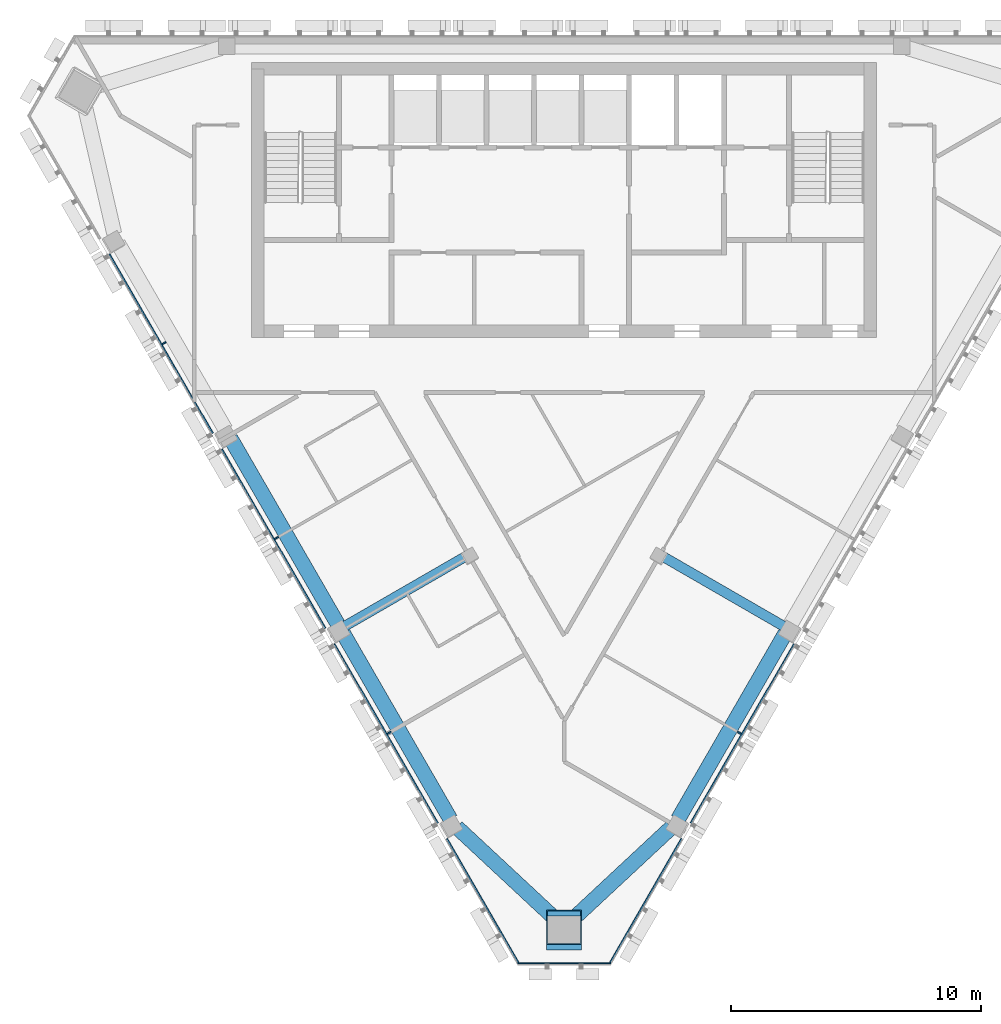
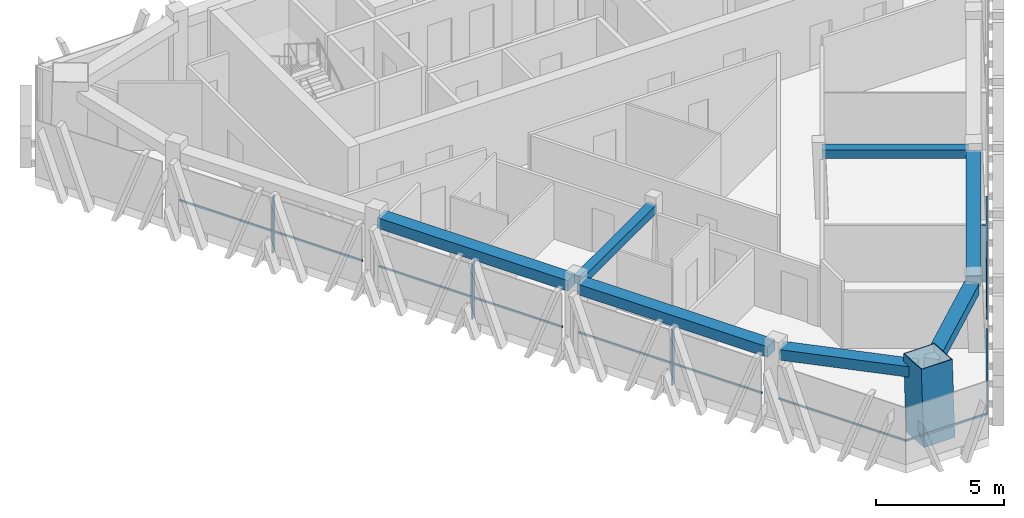
# One storey, part 2 of 10: 12 members, 7 beams, 3 elements without a shape of their own.
"""IFC4 building model written with IfcOpenShell, lengths in metres."""

import ifcopenshell
import ifcopenshell.guid

model = None  # the IFC model being written
_history = None  # IfcOwnerHistory: only IFC2X3 demands one
_inside = {}  # id of a spatial element -> (the spatial element, [elements in it])
_under = {}  # id of a project, library or spatial element -> (it, [spatial elements below it])
_declared = {}  # id of a project -> (the project, [libraries it declares])
_typed = {}  # id of a type object -> (the type object, [elements of that type])
_made_of = {}  # id of a material, layer set ... -> (it, [elements and type objects made of it])


def new_model(schema):
    """Start an empty IFC model of exactly this schema.

    Asked for "IFC4X3", IfcOpenShell would pick the latest addendum, in which some entities
    have other attributes; the version numbers below select the first issue.
    IFC2X3 requires an IfcOwnerHistory on every rooted entity: one is made here for all.
    """
    global model, _history
    if schema == "IFC4X3":
        model = ifcopenshell.file(schema_version=(4, 3, 0, 0))
    else:
        model = ifcopenshell.file(schema=schema)
    _inside.clear()
    _under.clear()
    _declared.clear()
    _typed.clear()
    _made_of.clear()
    _history = None
    if model.schema == "IFC2X3":
        org = make("IfcOrganization", Name="unknown")
        user = make(
            "IfcPersonAndOrganization",
            ThePerson=make("IfcPerson", FamilyName="unknown"),
            TheOrganization=org,
        )
        app = make(
            "IfcApplication",
            ApplicationDeveloper=org,
            Version="unknown",
            ApplicationFullName="unknown",
            ApplicationIdentifier="unknown",
        )
        _history = make(
            "IfcOwnerHistory",
            OwningUser=user,
            OwningApplication=app,
            ChangeAction="ADDED",
            CreationDate=0,
        )
    return model


def make(cls, **values):
    """One entity of the class cls with the attributes given. An attribute that is None is left unset."""
    return model.create_entity(
        cls, **{name: value for name, value in values.items() if value is not None}
    )


def rooted(cls, **values):
    """An entity with a GlobalId (a new one), such as an element, a storey or a relation."""
    return make(cls, GlobalId=ifcopenshell.guid.new(), OwnerHistory=_history, **values)


def si_unit(unit_type, name, prefix=None):
    """IfcSIUnit, for example si_unit("LENGTHUNIT", "METRE", prefix="MILLI")."""
    return make("IfcSIUnit", UnitType=unit_type, Prefix=prefix, Name=name)


def assignment(units):
    """IfcUnitAssignment: the units of a project."""
    return None if units is None else make("IfcUnitAssignment", Units=units)


def point(xyz):
    """IfcCartesianPoint."""
    return None if xyz is None else make("IfcCartesianPoint", Coordinates=xyz)


def direction(xyz):
    """IfcDirection."""
    return None if xyz is None else make("IfcDirection", DirectionRatios=xyz)


def frame(location, z_axis=None, x_axis=None):
    """IfcAxis2Placement3D, a coordinate frame: its origin and axes. An axis left out is left unset."""
    return make(
        "IfcAxis2Placement3D",
        Location=point(location),
        Axis=direction(z_axis),
        RefDirection=direction(x_axis),
    )


def frame_2d(location, x_axis=None):
    """IfcAxis2Placement2D, a coordinate frame in the plane: its origin and x axis."""
    return make(
        "IfcAxis2Placement2D", Location=point(location), RefDirection=direction(x_axis)
    )


def origin():
    """The frame at (0, 0, 0) with its axes left unset."""
    return frame((0.0, 0.0, 0.0))


def origin_2d():
    """The frame at (0, 0) in the plane with its x axis left unset."""
    return frame_2d((0.0, 0.0))


def place(relative_to, where):
    """IfcLocalPlacement: puts the frame where relative to a parent placement (None: the world)."""
    return make(
        "IfcLocalPlacement", PlacementRelTo=relative_to, RelativePlacement=where
    )


def context(
    kind, dimensions, precision=None, world=None, true_north=None, identifier=None
):
    """IfcGeometricRepresentationContext, for example the 3D "Model" context."""
    return make(
        "IfcGeometricRepresentationContext",
        ContextIdentifier=identifier,
        ContextType=kind,
        CoordinateSpaceDimension=dimensions,
        Precision=precision,
        WorldCoordinateSystem=world,
        TrueNorth=true_north,
    )


def subcontext(parent, identifier, kind, view, scale=None):
    """IfcGeometricRepresentationSubContext, for example "Body" below "Model"."""
    return make(
        "IfcGeometricRepresentationSubContext",
        ContextIdentifier=identifier,
        ContextType=kind,
        ParentContext=parent,
        TargetScale=scale,
        TargetView=view,
    )


def project(units=None, contexts=None):
    """IfcProject with its units and contexts."""
    return rooted(
        "IfcProject",
        Name="project",
        RepresentationContexts=contexts,
        UnitsInContext=assignment(units),
    )


def spatial(cls, under=None, at=None, **own):
    """A site, building, storey or space (cls), placed at a placement, below another one or the project."""
    s = rooted(cls, ObjectPlacement=at, **own)
    if under is not None:
        _under.setdefault(under.id(), (under, []))[1].append(s)
    return s


def profile(cls, at=None, kind="AREA", **sizes):
    """A parametric profile (cls). Its sizes go by their IFC names, for example OverallWidth=200.0."""
    return make(cls, ProfileType=kind, Position=at, **sizes)


def rectangle(**sizes):
    """IfcRectangleProfileDef."""
    return profile("IfcRectangleProfileDef", **sizes)


def hollow_rectangle(**sizes):
    """IfcRectangleHollowProfileDef."""
    return profile("IfcRectangleHollowProfileDef", **sizes)


def extrude(swept, where, along, depth):
    """IfcExtrudedAreaSolid: the profile swept, set in the frame where, extruded along a direction by depth."""
    return make(
        "IfcExtrudedAreaSolid",
        SweptArea=swept,
        Position=where,
        ExtrudedDirection=direction(along),
        Depth=depth,
    )


def shape(context_of_items, identifier, shape_type, items):
    """IfcShapeRepresentation: the items that make up one representation, for example the "Body"."""
    return make(
        "IfcShapeRepresentation",
        ContextOfItems=context_of_items,
        RepresentationIdentifier=identifier,
        RepresentationType=shape_type,
        Items=items,
    )


def material(Name=None, Category=None):
    """IfcMaterial."""
    return make("IfcMaterial", Name=Name, Category=Category)


def layer(
    of_material, thickness, ventilated=None, Name=None, Category=None, Priority=None
):
    """IfcMaterialLayer: one layer of a wall or slab, of a material (None: an air gap)."""
    return make(
        "IfcMaterialLayer",
        Material=of_material,
        LayerThickness=thickness,
        IsVentilated=ventilated,
        Name=Name,
        Category=Category,
        Priority=Priority,
    )


def layer_set(layers, Name=None):
    """IfcMaterialLayerSet."""
    return make("IfcMaterialLayerSet", MaterialLayers=layers, LayerSetName=Name)


def material_profile(
    of_material, cross_section, Name=None, Category=None, Priority=None
):
    """IfcMaterialProfile: a cross section and its material."""
    return make(
        "IfcMaterialProfile",
        Name=Name,
        Material=of_material,
        Profile=cross_section,
        Priority=Priority,
        Category=Category,
    )


def profile_set(profiles, Name=None, composite=None):
    """IfcMaterialProfileSet."""
    return make(
        "IfcMaterialProfileSet",
        Name=Name,
        MaterialProfiles=profiles,
        CompositeProfile=composite,
    )


def made_of(thing, what):
    """Note that an element or type object is made of a material, layer set ...; save() writes the relation."""
    if what is not None:
        _made_of.setdefault(what.id(), (what, []))[1].append(thing)
    return thing


def type_object(cls, material=None, **own):
    """A type object (cls), such as IfcWallType, which elements share."""
    return made_of(rooted(cls, **own), material)


def element(
    cls,
    number,
    at=None,
    inside=None,
    cuts=None,
    type_object=None,
    material=None,
    context=None,
    identifier="Body",
    shape_type=None,
    held_by="IfcProductDefinitionShape",
    body=None,
    shapes=None,
    **own,
):
    """One element of the class cls, such as IfcWall. Its Tag is "e" and its number.

    at: its placement. inside: the storey or other place that contains it. cuts: it is an
    opening in that element (IfcRelVoidsElement). A single representation is given by context,
    identifier, shape_type and body (its items); several are given by shapes. held_by: the class
    of the entity that holds the representations. save() writes the other relations.
    """
    e = rooted(cls, Tag="e%d" % number, ObjectPlacement=at, **own)
    if body is not None:
        shapes = [shape(context, identifier, shape_type, body)]
    if shapes is not None:
        e.Representation = make(held_by, Representations=shapes)
    if inside is not None:
        _inside.setdefault(inside.id(), (inside, []))[1].append(e)
    if cuts is not None:
        rooted(
            "IfcRelVoidsElement", RelatingBuildingElement=cuts, RelatedOpeningElement=e
        )
    if type_object is not None:
        _typed.setdefault(type_object.id(), (type_object, []))[1].append(e)
    return made_of(e, material)


def aggregate(whole, parts):
    """IfcRelAggregates: a whole, such as a stair, and the parts it consists of."""
    return rooted("IfcRelAggregates", RelatingObject=whole, RelatedObjects=parts)


def save(model, path):
    """Write the relations noted so far, then the file.

    IfcRelAggregates (storeys below a building ...), IfcRelContainedInSpatialStructure (elements
    in a storey), IfcRelDefinesByType, IfcRelAssociatesMaterial and IfcRelDeclares: one each for
    every whole, place, type object, material and project.
    """
    for whole, parts in _under.values():
        aggregate(whole, parts)
    for where, things in _inside.values():
        rooted(
            "IfcRelContainedInSpatialStructure",
            RelatedElements=things,
            RelatingStructure=where,
        )
    for kind, things in _typed.values():
        rooted("IfcRelDefinesByType", RelatedObjects=things, RelatingType=kind)
    for what, things in _made_of.values():
        rooted("IfcRelAssociatesMaterial", RelatedObjects=things, RelatingMaterial=what)
    for by, libraries in _declared.values():
        rooted("IfcRelDeclares", RelatingContext=by, RelatedDefinitions=libraries)
    model.write(path)


model = new_model("IFC4")

# Units and contexts
model_context = context("Model", 3, precision=1e-05, world=origin(), true_north=direction((0.0, 1.0)))
body_context = subcontext(model_context, "Body", "Model", "MODEL_VIEW")
ifc_project = project(units=[si_unit("LENGTHUNIT", "METRE"), si_unit("AREAUNIT", "SQUARE_METRE"), si_unit("VOLUMEUNIT", "CUBIC_METRE"), si_unit("PLANEANGLEUNIT", "RADIAN"), si_unit("MASSUNIT", "GRAM", prefix="KILO")], contexts=[model_context])

# Site, building, storey
site_placement = place(None, origin())
site = spatial("IfcSite", under=ifc_project, at=site_placement, CompositionType="ELEMENT")
building_placement = place(site_placement, origin())
building = spatial("IfcBuilding", under=site, at=building_placement, Name="Altiplano Prism Tower", CompositionType="ELEMENT")
storey_placement = place(building_placement, frame((0.0, 0.0, 320.199951171875)))
storey = spatial("IfcBuildingStorey", under=building, at=storey_placement, Name="L83", CompositionType="ELEMENT", Elevation=320.199951171875)

# Curtain wall, members
ifc_material_1 = material(Name="Aluminium and glass", Category="aluminium")
ifc_layer = layer(ifc_material_1, 0.280029296875)
ifc_layer_set = layer_set([ifc_layer], Name="Aluminium and glass")
curtain_wall_type = type_object("IfcCurtainWallType", Name="CW1 typical co-living unitised curtain wall", PredefinedType="NOTDEFINED", material=ifc_layer_set)
curtain_wall_1_placement = place(storey_placement, origin())
curtain_wall_1 = element("IfcCurtainWall", 1, at=curtain_wall_1_placement, inside=storey, type_object=curtain_wall_type, Name="CW1 curtain wall south-west face L83", PredefinedType="NOTDEFINED")
ifc_material_2 = material(Name="Aluminium", Category="aluminium")
ifc_material_profile_1 = material_profile(ifc_material_2, rectangle(XDim=0.179931640625, YDim=0.06494140625, at=origin_2d()), Name="CW1 mullion 65 x 180")
ifc_profile_set_1 = profile_set([ifc_material_profile_1], Name="Aluminium")
member_type_1 = type_object("IfcMemberType", Name="CW1 mullion 65 x 180", PredefinedType="MULLION", material=ifc_profile_set_1)
member_1_placement = place(storey_placement, frame((68.99267578125, 92.673095703125, 0.0), z_axis=(0.0, 0.0, 1.0), x_axis=(0.866025398967, 0.500000008343, 0.0)))
member_1 = element("IfcMember", 2, at=member_1_placement, type_object=member_type_1, Name="CW1 mullion", PredefinedType="MULLION", context=body_context, shape_type="SweptSolid", body=[
    extrude(rectangle(XDim=0.179931640625, YDim=0.06494140625, at=origin_2d()), origin(), (0.0, 0.0, 1.0), 2.699951171875),
])
member_2_placement = place(storey_placement, frame((73.49267578125, 84.87890625, 0.0), z_axis=(0.0, 0.0, 1.0), x_axis=(0.866025398967, 0.500000008343, 0.0)))
member_2 = element("IfcMember", 3, at=member_2_placement, type_object=member_type_1, Name="CW1 mullion", PredefinedType="MULLION", context=body_context, shape_type="SweptSolid", body=[
    extrude(rectangle(XDim=0.179931640625, YDim=0.06494140625, at=origin_2d()), origin(), (0.0, 0.0, 1.0), 2.699951171875),
])
member_3_placement = place(storey_placement, frame((77.99267578125, 77.08447265625, 0.0), z_axis=(0.0, 0.0, 1.0), x_axis=(0.866025398967, 0.500000008343, 0.0)))
member_3 = element("IfcMember", 4, at=member_3_placement, type_object=member_type_1, Name="CW1 mullion", PredefinedType="MULLION", context=body_context, shape_type="SweptSolid", body=[
    extrude(rectangle(XDim=0.179931640625, YDim=0.06494140625, at=origin_2d()), origin(), (0.0, 0.0, 1.0), 2.699951171875),
])

# Curtain wall, member
curtain_wall_2_placement = place(storey_placement, origin())
curtain_wall_2 = element("IfcCurtainWall", 5, at=curtain_wall_2_placement, inside=storey, type_object=curtain_wall_type, Name="CW1 curtain wall south-east face L83", PredefinedType="NOTDEFINED")
member_4_placement = place(storey_placement, frame((92.00732421875, 77.08447265625, 0.0), z_axis=(0.0, 0.0, 1.0), x_axis=(-0.866025398967, 0.500000008343, 0.0)))
member_4 = element("IfcMember", 6, at=member_4_placement, type_object=member_type_1, Name="CW1 mullion", PredefinedType="MULLION", context=body_context, shape_type="SweptSolid", body=[
    extrude(rectangle(XDim=0.179931640625, YDim=0.06494140625, at=origin_2d()), origin(), (0.0, 0.0, 1.0), 2.699951171875),
])

# Member
ifc_material_profile_2 = material_profile(ifc_material_2, rectangle(XDim=0.06005859375, YDim=0.080078125, at=origin_2d()), Name="CW1 transom 80 x 60")
ifc_profile_set_2 = profile_set([ifc_material_profile_2], Name="Aluminium")
member_type_2 = type_object("IfcMemberType", Name="CW1 transom 80 x 60", PredefinedType="USERDEFINED", material=ifc_profile_set_2)
member_5_placement = place(storey_placement, frame((66.801513671875, 96.228271484375, 1.10009765625), z_axis=(0.50000951748, -0.866019908795, 0.0), x_axis=(0.866019908795, 0.50000951748, 0.0)))
member_5 = element("IfcMember", 7, at=member_5_placement, type_object=member_type_2, Name="CW1 transom", ObjectType="TRANSOM", PredefinedType="USERDEFINED", context=body_context, shape_type="SweptSolid", body=[
    extrude(rectangle(XDim=0.06005859375, YDim=0.080078125, at=origin_2d()), origin(), (0.0, 0.0, 1.0), 8.269775390625),
])

member_6_placement = place(storey_placement, frame((71.301513671875, 88.43408203125, 1.10009765625), z_axis=(0.50000951748, -0.866019908795, 0.0), x_axis=(0.866019908795, 0.50000951748, 0.0)))
member_6 = element("IfcMember", 8, at=member_6_placement, type_object=member_type_2, Name="CW1 transom", ObjectType="TRANSOM", PredefinedType="USERDEFINED", context=body_context, shape_type="SweptSolid", body=[
    extrude(rectangle(XDim=0.06005859375, YDim=0.080078125, at=origin_2d()), origin(), (0.0, 0.0, 1.0), 8.269775390625),
])

member_7_placement = place(storey_placement, frame((75.801513671875, 80.639892578125, 1.10009765625), z_axis=(0.499996734306, -0.866027289225, 0.0), x_axis=(0.866027289225, 0.499996734306, 0.0)))
member_7 = element("IfcMember", 9, at=member_7_placement, type_object=member_type_2, Name="CW1 transom", ObjectType="TRANSOM", PredefinedType="USERDEFINED", context=body_context, shape_type="SweptSolid", body=[
    extrude(rectangle(XDim=0.06005859375, YDim=0.080078125, at=origin_2d()), origin(), (0.0, 0.0, 1.0), 8.27001953125),
])

member_8_placement = place(storey_placement, frame((80.301513671875, 72.845458984375, 1.10009765625), z_axis=(0.50002313067, -0.866012048874, 0.0), x_axis=(0.866012048874, 0.50002313067, 0.0)))
member_8 = element("IfcMember", 10, at=member_8_placement, type_object=member_type_2, Name="CW1 transom", ObjectType="TRANSOM", PredefinedType="USERDEFINED", context=body_context, shape_type="SweptSolid", body=[
    extrude(rectangle(XDim=0.06005859375, YDim=0.080078125, at=origin_2d()), origin(), (0.0, 0.0, 1.0), 5.786865234375),
])

aggregate(curtain_wall_1, [member_1, member_5, member_2, member_6, member_3, member_7, member_8])

# Curtain wall, member
curtain_wall_3_placement = place(storey_placement, origin())
curtain_wall_3 = element("IfcCurtainWall", 11, at=curtain_wall_3_placement, inside=storey, type_object=curtain_wall_type, Name="CW1 curtain wall south chamfer L83", PredefinedType="NOTDEFINED")
member_9_placement = place(storey_placement, frame((83.13427734375, 67.868896484375, 1.10009765625), z_axis=(1.0, 0.0, 0.0), x_axis=(0.0, 1.0, 0.0)))
member_9 = element("IfcMember", 12, at=member_9_placement, type_object=member_type_2, Name="CW1 transom", ObjectType="TRANSOM", PredefinedType="USERDEFINED", context=body_context, shape_type="SweptSolid", body=[
    extrude(rectangle(XDim=0.06005859375, YDim=0.080078125, at=origin_2d()), origin(), (0.0, 0.0, 1.0), 3.7314453125),
])
aggregate(curtain_wall_3, [member_9])

# Member
member_10_placement = place(storey_placement, frame((86.804931640625, 67.833984375, 1.10009765625), z_axis=(0.50002313067, 0.866012048874, 0.0), x_axis=(-0.866012048874, 0.50002313067, 0.0)))
member_10 = element("IfcMember", 13, at=member_10_placement, type_object=member_type_2, Name="CW1 transom", ObjectType="TRANSOM", PredefinedType="USERDEFINED", context=body_context, shape_type="SweptSolid", body=[
    extrude(rectangle(XDim=0.06005859375, YDim=0.080078125, at=origin_2d()), origin(), (0.0, 0.0, 1.0), 5.786865234375),
])

member_11_placement = place(storey_placement, frame((90.0634765625, 73.477783203125, 1.10009765625), z_axis=(0.499996734306, 0.866027289225, 0.0), x_axis=(-0.866027289225, 0.499996734306, 0.0)))
member_11 = element("IfcMember", 14, at=member_11_placement, type_object=member_type_2, Name="CW1 transom", ObjectType="TRANSOM", PredefinedType="USERDEFINED", context=body_context, shape_type="SweptSolid", body=[
    extrude(rectangle(XDim=0.06005859375, YDim=0.080078125, at=origin_2d()), origin(), (0.0, 0.0, 1.0), 8.27001953125),
])

aggregate(curtain_wall_2, [member_10, member_4, member_11])

# Beams
ifc_material_3 = material(Name="Concrete C60/75", Category="concrete")
ifc_material_profile_3 = material_profile(ifc_material_3, rectangle(XDim=0.60009765625, YDim=0.5, at=origin_2d()), Name="Edge beam 600x500")
ifc_profile_set_3 = profile_set([ifc_material_profile_3], Name="Concrete C60/75")
beam_type_1 = type_object("IfcBeamType", Name="Edge beam 600x500", PredefinedType="SPANDREL", material=ifc_profile_set_3)
for number, where, z_axis, x_axis, name in (
    (15, (71.650390625, 88.866943359375, 2.949951171875), (0.499990619765, -0.866030819398, 0.0), (0.866030819398, 0.499990619765, 0.0), "Edge beam P12-P13 L84"),
    (16, (76.150390625, 81.07275390625, 2.949951171875), (0.499990619765, -0.866030819398, 0.0), (0.866030819398, 0.499990619765, 0.0), "Edge beam P13-P14 L84"),
):
    element("IfcBeam", number, at=place(storey_placement, frame(where, z_axis=z_axis, x_axis=x_axis)), inside=storey, type_object=beam_type_1, Name=name, PredefinedType="SPANDREL", context=body_context, shape_type="SweptSolid", body=[
        extrude(rectangle(XDim=0.60009765625, YDim=0.5, at=origin_2d()), origin(), (0.0, 0.0, 1.0), 8.590087890625),
    ])
for number, where, z_axis, x_axis, name in (
    (17, (80.708740234375, 73.30615234375, 2.949951171875), (0.731755150148, -0.681567605034, 0.0), (0.681567605034, 0.731755150148, 0.0), "Edge beam P14-M1 L84"),
    (18, (85.329345703125, 69.615966796875, 2.949951171875), (0.731755150148, 0.681567605034, 0.0), (-0.681567605034, 0.731755150148, 0.0), "Edge beam M1-P21 L84"),
):
    element("IfcBeam", number, at=place(storey_placement, frame(where, z_axis=z_axis, x_axis=x_axis)), inside=storey, type_object=beam_type_1, Name=name, PredefinedType="SPANDREL", context=body_context, shape_type="SweptSolid", body=[
        extrude(rectangle(XDim=0.60009765625, YDim=0.5, at=origin_2d()), origin(), (0.0, 0.0, 1.0), 5.414306640625),
    ])
beam_placement = place(storey_placement, frame((89.5546875, 73.633544921875, 2.949951171875), z_axis=(0.499990619765, 0.866030819398, 0.0), x_axis=(-0.866030819398, 0.499990619765, 0.0)))
element("IfcBeam", 19, at=beam_placement, inside=storey, type_object=beam_type_1, Name="Edge beam P21-P22 L84", PredefinedType="SPANDREL", context=body_context, shape_type="SweptSolid", body=[
    extrude(rectangle(XDim=0.60009765625, YDim=0.5, at=origin_2d()), origin(), (0.0, 0.0, 1.0), 8.590087890625),
])

# Member
ifc_material_4 = material(Name="Steel S460", Category="steel")
ifc_material_profile_4 = material_profile(ifc_material_4, hollow_rectangle(XDim=1.39990234375, YDim=1.39990234375, WallThickness=0.0400390625, at=origin_2d()), Name="Mega column tube 1400")
ifc_profile_set_4 = profile_set([ifc_material_profile_4], Name="Steel S460")
member_type_3 = type_object("IfcMemberType", Name="Mega column tube 1400", PredefinedType="POST", material=ifc_profile_set_4)
member_12_placement = place(storey_placement, frame((85.0, 69.098876953125, 0.0), z_axis=(0.0, 0.058356907999, 0.998295783467), x_axis=(-1.0, 0.0, 0.0)))
element("IfcMember", 20, at=member_12_placement, inside=storey, type_object=member_type_3, Name="Mega column tube M1 L83", PredefinedType="POST", context=body_context, shape_type="SweptSolid", body=[
    extrude(hollow_rectangle(XDim=1.39990234375, YDim=1.39990234375, WallThickness=0.0400390625, at=origin_2d()), origin(), (0.0, 0.0, 1.0), 3.606201171875),
])

# Beams
ifc_material_profile_5 = material_profile(ifc_material_3, rectangle(XDim=0.39990234375, YDim=0.39990234375, at=origin_2d()), Name="Tie beam 400x400")
ifc_profile_set_5 = profile_set([ifc_material_profile_5], Name="Concrete C60/75")
beam_type_2 = type_object("IfcBeamType", Name="Tie beam 400x400", PredefinedType="BEAM", material=ifc_profile_set_5)
for number, where, z_axis, x_axis, name in (
    (21, (81.1748046875, 84.210205078125, 3.0), (-0.866036909293, -0.499980071345, 0.0), (0.499980071345, -0.866036909293, 0.0), "Tie beam I13 L84"),
    (22, (88.8251953125, 84.210205078125, 3.0), (0.866036909293, -0.499980071345, 0.0), (0.499980071345, 0.866036909293, 0.0), "Tie beam I22 L84"),
):
    element("IfcBeam", number, at=place(storey_placement, frame(where, z_axis=z_axis, x_axis=x_axis)), inside=storey, type_object=beam_type_2, Name=name, PredefinedType="BEAM", context=body_context, shape_type="SweptSolid", body=[
        extrude(rectangle(XDim=0.39990234375, YDim=0.39990234375, at=origin_2d()), origin(), (0.0, 0.0, 1.0), 5.715087890625),
    ])

save(model, "model.ifc")
